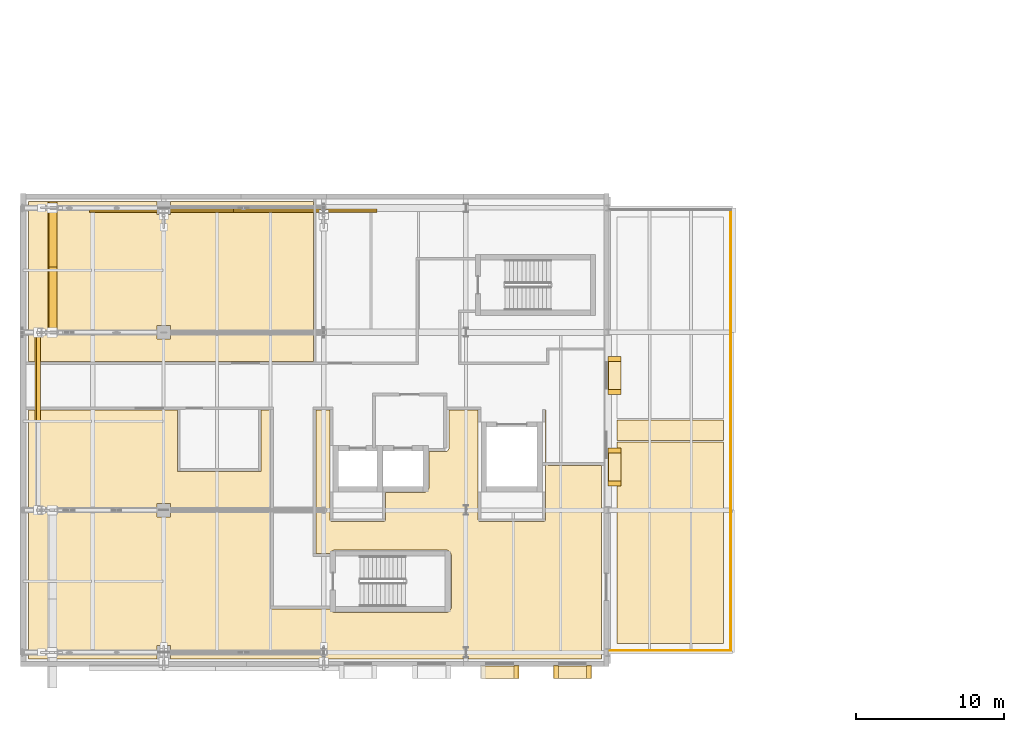
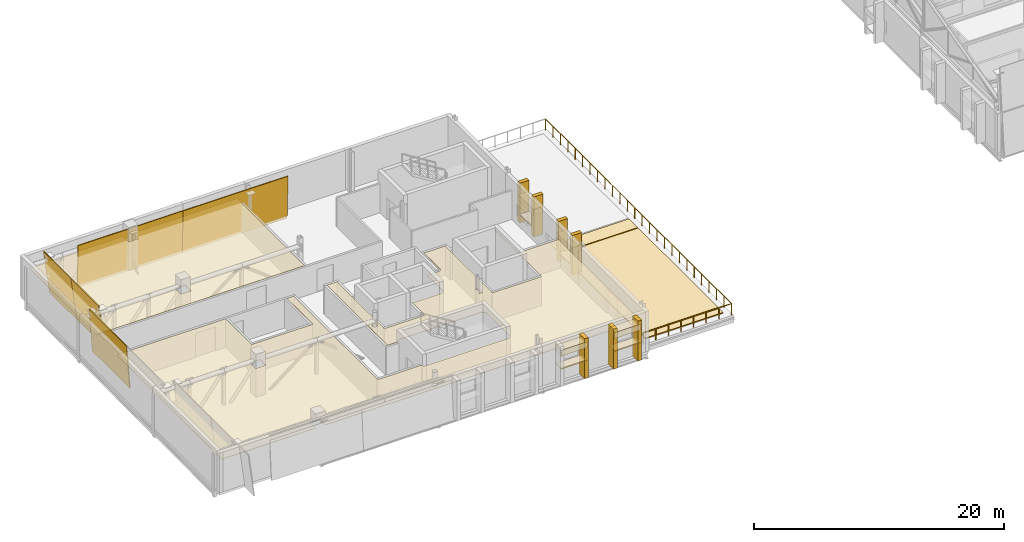
# One storey, part 85 of 89: 24 coverings, 2 railings.
"""IFC4 building model written with IfcOpenShell, lengths in metres."""

from ifc_helpers import new_model, si_unit, direction, frame, origin, origin_2d, place, context, subcontext, project, spatial, polyline, rectangle, circle, outline, extrude, material, layer, layer_set, type_object, element, save


model = new_model("IFC4")

# Units and contexts
model_context = context("Model", 3, precision=1e-05, world=origin(), true_north=direction((0.0, 1.0)))
body_context = subcontext(model_context, "Body", "Model", "MODEL_VIEW")
ifc_project = project(units=[si_unit("LENGTHUNIT", "METRE"), si_unit("AREAUNIT", "SQUARE_METRE"), si_unit("VOLUMEUNIT", "CUBIC_METRE"), si_unit("PLANEANGLEUNIT", "RADIAN"), si_unit("MASSUNIT", "GRAM", prefix="KILO")], contexts=[model_context])

# Site, building, storey
site_placement = place(None, origin())
site = spatial("IfcSite", under=ifc_project, at=site_placement, CompositionType="ELEMENT")
building_placement = place(site_placement, origin())
building = spatial("IfcBuilding", under=site, at=building_placement, Name="Zereglee Splitstone Museum", CompositionType="ELEMENT")
storey_placement = place(building_placement, frame((0.0, 0.0, 21.300048828125)))
storey = spatial("IfcBuildingStorey", under=building, at=storey_placement, Name="L04", CompositionType="ELEMENT", Elevation=21.300048828125)

# Coverings
ifc_material_1 = material(Name="Siberian larch acoustic timber ceiling", Category="wood")
ifc_layer_1 = layer(ifc_material_1, 0.06005859375)
ifc_layer_set_1 = layer_set([ifc_layer_1], Name="Siberian larch acoustic timber ceiling")
covering_type_1 = type_object("IfcCoveringType", Name="CLG-01", PredefinedType="CEILING", material=ifc_layer_set_1)
covering_1_placement = place(storey_placement, frame((0.0, 0.0, 2.77001953125)))
element("IfcCovering", 1, at=covering_1_placement, inside=storey, type_object=covering_type_1, Name="Acoustic Ceiling L04-053", PredefinedType="CEILING", context=body_context, shape_type="SweptSolid", body=[
    extrude(outline(polyline([(19.8798828125, 16.3701171875), (20.820068359375, 16.3701171875), (20.820068359375, 9.0), (20.820068359375, 8.9990234375), (20.82080078125, 8.9833984375), (20.821044921875, 8.9814453125), (20.8232421875, 8.9658203125), (20.82373046875, 8.9638671875), (20.827392578125, 8.94873046875), (20.828125, 8.94677734375), (20.833251953125, 8.931884765625), (20.833984375, 8.93017578125), (20.8408203125, 8.916015625), (20.841796875, 8.914306640625), (20.849853515625, 8.90087890625), (20.850830078125, 8.899169921875), (20.8603515625, 8.88671875), (20.861572265625, 8.885009765625), (20.8720703125, 8.873291015625), (20.873291015625, 8.8720703125), (20.885009765625, 8.861572265625), (20.88671875, 8.8603515625), (20.899169921875, 8.850830078125), (20.90087890625, 8.849853515625), (20.914306640625, 8.841796875), (20.916015625, 8.8408203125), (20.93017578125, 8.833984375), (20.931884765625, 8.833251953125), (20.94677734375, 8.828125), (20.94873046875, 8.827392578125), (20.9638671875, 8.82373046875), (20.9658203125, 8.8232421875), (20.9814453125, 8.821044921875), (20.9833984375, 8.82080078125), (20.9990234375, 8.820068359375), (21.0, 8.820068359375), (24.39990234375, 8.820068359375), (24.40087890625, 8.820068359375), (24.416748046875, 8.82080078125), (24.418701171875, 8.821044921875), (24.43408203125, 8.8232421875), (24.43603515625, 8.82373046875), (24.451416015625, 8.827392578125), (24.453125, 8.828125), (24.468017578125, 8.833251953125), (24.4697265625, 8.833984375), (24.48388671875, 8.8408203125), (24.485595703125, 8.841796875), (24.499267578125, 8.849853515625), (24.500732421875, 8.850830078125), (24.513427734375, 8.8603515625), (24.514892578125, 8.861572265625), (24.526611328125, 8.8720703125), (24.528076171875, 8.873291015625), (24.53857421875, 8.885009765625), (24.539794921875, 8.88671875), (24.549072265625, 8.899169921875), (24.55029296875, 8.90087890625), (24.558349609375, 8.914306640625), (24.55908203125, 8.916015625), (24.56591796875, 8.93017578125), (24.566650390625, 8.931884765625), (24.572021484375, 8.94677734375), (24.572509765625, 8.94873046875), (24.576416015625, 8.9638671875), (24.57666015625, 8.9658203125), (24.5791015625, 8.9814453125), (24.5791015625, 8.9833984375), (24.580078125, 8.9990234375), (24.580078125, 9.0), (24.580078125, 10.780029296875), (27.10009765625, 10.780029296875), (27.14111328125, 10.781982421875), (27.181884765625, 10.7880859375), (27.221923828125, 10.798095703125), (27.2607421875, 10.81201171875), (27.298095703125, 10.82958984375), (27.333251953125, 10.850830078125), (27.366455078125, 10.875244140625), (27.39697265625, 10.903076171875), (27.4248046875, 10.93359375), (27.44921875, 10.966796875), (27.470458984375, 11.001953125), (27.488037109375, 11.039306640625), (27.501953125, 11.078125), (27.511962890625, 11.1181640625), (27.51806640625, 11.15869140625), (27.52001953125, 11.199951171875), (27.52001953125, 13.550048828125), (28.60009765625, 13.550048828125), (28.62451171875, 13.55126953125), (28.648681640625, 13.5546875), (28.672607421875, 13.560791015625), (28.69580078125, 13.569091796875), (28.7177734375, 13.57958984375), (28.739013671875, 13.592041015625), (28.758544921875, 13.606689453125), (28.77685546875, 13.623291015625), (28.793212890625, 13.641357421875), (28.807861328125, 13.6611328125), (28.820556640625, 13.68212890625), (28.8310546875, 13.704345703125), (28.839111328125, 13.727294921875), (28.84521484375, 13.751220703125), (28.848876953125, 13.775390625), (28.85009765625, 13.800048828125), (28.85009765625, 16.3701171875), (30.820068359375, 16.3701171875), (30.820068359375, 9.0), (30.820068359375, 8.9990234375), (30.82080078125, 8.9833984375), (30.821044921875, 8.9814453125), (30.8232421875, 8.9658203125), (30.82373046875, 8.9638671875), (30.827392578125, 8.94873046875), (30.828125, 8.94677734375), (30.833251953125, 8.931884765625), (30.833984375, 8.93017578125), (30.8408203125, 8.916015625), (30.841796875, 8.914306640625), (30.849853515625, 8.90087890625), (30.850830078125, 8.899169921875), (30.8603515625, 8.88671875), (30.861572265625, 8.885009765625), (30.8720703125, 8.873291015625), (30.873291015625, 8.8720703125), (30.885009765625, 8.861572265625), (30.88671875, 8.8603515625), (30.899169921875, 8.850830078125), (30.90087890625, 8.849853515625), (30.914306640625, 8.841796875), (30.916015625, 8.8408203125), (30.93017578125, 8.833984375), (30.931884765625, 8.833251953125), (30.94677734375, 8.828125), (30.94873046875, 8.827392578125), (30.9638671875, 8.82373046875), (30.9658203125, 8.8232421875), (30.9814453125, 8.821044921875), (30.9833984375, 8.82080078125), (30.9990234375, 8.820068359375), (31.0, 8.820068359375), (35.199951171875, 8.820068359375), (35.200927734375, 8.820068359375), (35.216796875, 8.82080078125), (35.218505859375, 8.821044921875), (35.234130859375, 8.8232421875), (35.236083984375, 8.82373046875), (35.251220703125, 8.827392578125), (35.253173828125, 8.828125), (35.26806640625, 8.833251953125), (35.269775390625, 8.833984375), (35.283935546875, 8.8408203125), (35.28564453125, 8.841796875), (35.29931640625, 8.849853515625), (35.30078125, 8.850830078125), (35.3134765625, 8.8603515625), (35.31494140625, 8.861572265625), (35.32666015625, 8.8720703125), (35.327880859375, 8.873291015625), (35.33837890625, 8.885009765625), (35.339599609375, 8.88671875), (35.34912109375, 8.899169921875), (35.35009765625, 8.90087890625), (35.3583984375, 8.914306640625), (35.359130859375, 8.916015625), (35.365966796875, 8.93017578125), (35.36669921875, 8.931884765625), (35.371826171875, 8.94677734375), (35.37255859375, 8.94873046875), (35.376220703125, 8.9638671875), (35.376708984375, 8.9658203125), (35.37890625, 8.9814453125), (35.379150390625, 8.9833984375), (35.3798828125, 8.9990234375), (35.3798828125, 9.0), (35.3798828125, 16.3701171875), (35.419921875, 16.3701171875), (35.419921875, 12.800048828125), (35.419921875, 12.799072265625), (35.4208984375, 12.783203125), (35.4208984375, 12.781494140625), (35.42333984375, 12.765869140625), (35.423583984375, 12.763916015625), (35.427490234375, 12.748779296875), (35.427978515625, 12.746826171875), (35.433349609375, 12.73193359375), (35.43408203125, 12.730224609375), (35.44091796875, 12.716064453125), (35.441650390625, 12.71435546875), (35.44970703125, 12.70068359375), (35.450927734375, 12.69921875), (35.460205078125, 12.6865234375), (35.46142578125, 12.68505859375), (35.471923828125, 12.67333984375), (35.473388671875, 12.672119140625), (35.485107421875, 12.66162109375), (35.486572265625, 12.660400390625), (35.499267578125, 12.65087890625), (35.500732421875, 12.64990234375), (35.514404296875, 12.6416015625), (35.51611328125, 12.640869140625), (35.5302734375, 12.634033203125), (35.531982421875, 12.63330078125), (35.546875, 12.628173828125), (35.548583984375, 12.62744140625), (35.56396484375, 12.623779296875), (35.56591796875, 12.623291015625), (35.581298828125, 12.62109375), (35.583251953125, 12.620849609375), (35.59912109375, 12.6201171875), (35.60009765625, 12.6201171875), (39.139892578125, 12.6201171875), (39.139892578125, -0.43994140625), (10.05810546875, -0.43994140625), (10.05810546875, 0.4580078125), (9.14208984375, 0.4580078125), (9.14208984375, -0.43994140625), (0.4599609375, -0.43994140625), (0.4599609375, 16.3701171875), (10.52001953125, 16.3701171875), (10.52001953125, 12.22998046875), (10.52001953125, 12.22802734375), (10.5205078125, 12.22607421875), (10.52099609375, 12.22412109375), (10.521484375, 12.222412109375), (10.5224609375, 12.220703125), (10.5234375, 12.218994140625), (10.5244140625, 12.21728515625), (10.52587890625, 12.2158203125), (10.52734375, 12.214599609375), (10.52880859375, 12.21337890625), (10.530517578125, 12.21240234375), (10.5322265625, 12.21142578125), (10.5341796875, 12.2109375), (10.5361328125, 12.21044921875), (10.5380859375, 12.210205078125), (10.5400390625, 12.2099609375), (16.159912109375, 12.2099609375), (16.162109375, 12.210205078125), (16.163818359375, 12.21044921875), (16.165771484375, 12.2109375), (16.167724609375, 12.21142578125), (16.16943359375, 12.21240234375), (16.171142578125, 12.21337890625), (16.172607421875, 12.214599609375), (16.174072265625, 12.2158203125), (16.175537109375, 12.21728515625), (16.176513671875, 12.218994140625), (16.177490234375, 12.220703125), (16.178466796875, 12.222412109375), (16.17919921875, 12.22412109375), (16.1796875, 12.22607421875), (16.179931640625, 12.22802734375), (16.179931640625, 12.22998046875), (16.179931640625, 16.3701171875), (16.820068359375, 16.3701171875), (16.820068359375, 3.10009765625), (16.820068359375, 3.09912109375), (16.82080078125, 3.083251953125), (16.821044921875, 3.081298828125), (16.8232421875, 3.06591796875), (16.82373046875, 3.06396484375), (16.827392578125, 3.048583984375), (16.828125, 3.046875), (16.833251953125, 3.031982421875), (16.833984375, 3.0302734375), (16.8408203125, 3.01611328125), (16.841796875, 3.014404296875), (16.849853515625, 3.000732421875), (16.850830078125, 2.999267578125), (16.8603515625, 2.986572265625), (16.861572265625, 2.985107421875), (16.8720703125, 2.973388671875), (16.873291015625, 2.971923828125), (16.885009765625, 2.96142578125), (16.88671875, 2.960205078125), (16.899169921875, 2.950927734375), (16.90087890625, 2.94970703125), (16.914306640625, 2.941650390625), (16.916015625, 2.94091796875), (16.93017578125, 2.93408203125), (16.931884765625, 2.933349609375), (16.94677734375, 2.927978515625), (16.94873046875, 2.927490234375), (16.9638671875, 2.923583984375), (16.9658203125, 2.92333984375), (16.9814453125, 2.9208984375), (16.9833984375, 2.9208984375), (16.9990234375, 2.919921875), (17.0, 2.919921875), (20.821044921875, 2.919921875), (20.82958984375, 2.902099609375), (20.850830078125, 2.86669921875), (20.875244140625, 2.83349609375), (20.903076171875, 2.802978515625), (20.93359375, 2.775390625), (20.966796875, 2.750732421875), (21.001953125, 2.7294921875), (21.039306640625, 2.7119140625), (21.078125, 2.697998046875), (21.1181640625, 2.68798828125), (21.15869140625, 2.681884765625), (21.199951171875, 2.679931640625), (28.60009765625, 2.679931640625), (28.64111328125, 2.681884765625), (28.681884765625, 2.68798828125), (28.721923828125, 2.697998046875), (28.7607421875, 2.7119140625), (28.798095703125, 2.7294921875), (28.833251953125, 2.750732421875), (28.866455078125, 2.775390625), (28.89697265625, 2.802978515625), (28.9248046875, 2.83349609375), (28.94921875, 2.86669921875), (28.970458984375, 2.902099609375), (28.988037109375, 2.939208984375), (29.001953125, 2.97802734375), (29.011962890625, 3.01806640625), (29.01806640625, 3.058837890625), (29.02001953125, 3.10009765625), (29.02001953125, 6.5), (29.01806640625, 6.541259765625), (29.011962890625, 6.581787109375), (29.001953125, 6.621826171875), (28.988037109375, 6.66064453125), (28.970458984375, 6.697998046875), (28.94921875, 6.7333984375), (28.9248046875, 6.766357421875), (28.89697265625, 6.797119140625), (28.866455078125, 6.82470703125), (28.833251953125, 6.84912109375), (28.798095703125, 6.870361328125), (28.7607421875, 6.887939453125), (28.721923828125, 6.90185546875), (28.681884765625, 6.911865234375), (28.64111328125, 6.91796875), (28.60009765625, 6.919921875), (21.199951171875, 6.919921875), (21.15869140625, 6.91796875), (21.1181640625, 6.911865234375), (21.078125, 6.90185546875), (21.039306640625, 6.887939453125), (21.001953125, 6.870361328125), (20.966796875, 6.84912109375), (20.93359375, 6.82470703125), (20.903076171875, 6.797119140625), (20.875244140625, 6.766357421875), (20.850830078125, 6.7333984375), (20.82958984375, 6.697998046875), (20.821044921875, 6.679931640625), (19.8798828125, 6.679931640625), (19.8798828125, 16.3701171875)]), holes=[polyline([(20.531494140625, -0.196533203125), (20.567138671875, -0.167236328125), (20.5966796875, -0.13134765625), (20.618408203125, -0.090576171875), (20.632080078125, -0.046142578125), (20.636474609375, 0.0), (20.632080078125, 0.046142578125), (20.618408203125, 0.090576171875), (20.5966796875, 0.13134765625), (20.567138671875, 0.167236328125), (20.531494140625, 0.196533203125), (20.490478515625, 0.218505859375), (20.446044921875, 0.23193359375), (20.39990234375, 0.236572265625), (20.35400390625, 0.23193359375), (20.3095703125, 0.218505859375), (20.2685546875, 0.196533203125), (20.23291015625, 0.167236328125), (20.203369140625, 0.13134765625), (20.181396484375, 0.090576171875), (20.16796875, 0.046142578125), (20.16357421875, 0.0), (20.16796875, -0.046142578125), (20.181396484375, -0.090576171875), (20.203369140625, -0.13134765625), (20.23291015625, -0.167236328125), (20.2685546875, -0.196533203125), (20.3095703125, -0.218505859375), (20.35400390625, -0.23193359375), (20.39990234375, -0.236572265625), (20.446044921875, -0.23193359375), (20.490478515625, -0.218505859375), (20.531494140625, -0.196533203125)]), polyline([(29.842041015625, 0.35791015625), (29.842041015625, 0.31005859375), (29.9833984375, 0.31005859375), (29.9833984375, -0.31005859375), (29.842041015625, -0.31005859375), (29.842041015625, -0.35791015625), (30.157958984375, -0.35791015625), (30.157958984375, -0.31005859375), (30.0166015625, -0.31005859375), (30.0166015625, 0.31005859375), (30.157958984375, 0.31005859375), (30.157958984375, 0.35791015625), (29.842041015625, 0.35791015625)]), polyline([(9.14208984375, 9.14208984375), (10.05810546875, 9.14208984375), (10.05810546875, 10.05810546875), (9.14208984375, 10.05810546875), (9.14208984375, 9.14208984375)]), polyline([(20.517333984375, 9.42431640625), (20.54931640625, 9.45068359375), (20.57568359375, 9.482666015625), (20.59521484375, 9.519287109375), (20.607177734375, 9.558837890625), (20.611083984375, 9.60009765625), (20.607177734375, 9.64111328125), (20.59521484375, 9.680908203125), (20.57568359375, 9.71728515625), (20.54931640625, 9.749267578125), (20.517333984375, 9.775634765625), (20.480712890625, 9.795166015625), (20.441162109375, 9.80712890625), (20.39990234375, 9.811279296875), (20.35888671875, 9.80712890625), (20.319091796875, 9.795166015625), (20.28271484375, 9.775634765625), (20.250732421875, 9.749267578125), (20.224365234375, 9.71728515625), (20.204833984375, 9.680908203125), (20.19287109375, 9.64111328125), (20.188720703125, 9.60009765625), (20.19287109375, 9.558837890625), (20.204833984375, 9.519287109375), (20.224365234375, 9.482666015625), (20.250732421875, 9.45068359375), (20.28271484375, 9.42431640625), (20.319091796875, 9.40478515625), (20.35888671875, 9.392822265625), (20.39990234375, 9.388916015625), (20.441162109375, 9.392822265625), (20.480712890625, 9.40478515625), (20.517333984375, 9.42431640625)]), polyline([(29.842041015625, 9.93310546875), (29.842041015625, 9.885986328125), (29.98388671875, 9.885986328125), (29.98388671875, 9.31396484375), (29.842041015625, 9.31396484375), (29.842041015625, 9.26708984375), (30.157958984375, 9.26708984375), (30.157958984375, 9.31396484375), (30.01611328125, 9.31396484375), (30.01611328125, 9.885986328125), (30.157958984375, 9.885986328125), (30.157958984375, 9.93310546875), (29.842041015625, 9.93310546875)])]), origin(), (0.0, 0.0, 1.0), 0.059814453125),
])
covering_2_placement = place(storey_placement, frame((0.0, 0.0, 2.77001953125)))
element("IfcCovering", 2, at=covering_2_placement, inside=storey, type_object=covering_type_1, Name="Acoustic Ceiling L04-054", PredefinedType="CEILING", context=body_context, shape_type="SweptSolid", body=[
    extrude(outline(polyline([(0.4599609375, 30.43994140625), (9.14208984375, 30.43994140625), (9.14208984375, 29.5419921875), (10.05810546875, 29.5419921875), (10.05810546875, 30.43994140625), (19.699951171875, 30.43994140625), (19.699951171875, 19.6298828125), (0.4599609375, 19.6298828125), (0.4599609375, 30.43994140625)]), holes=[polyline([(9.14208984375, 21.14208984375), (10.05810546875, 21.14208984375), (10.05810546875, 22.05810546875), (9.14208984375, 22.05810546875), (9.14208984375, 21.14208984375)])]), origin(), (0.0, 0.0, 1.0), 0.059814453125),
])
ifc_material_2 = material(Name="Honed Gobi pale limestone stringcourse and soffit cladding", Category="masonry")
ifc_layer_2 = layer(ifc_material_2, 0.070068359375)
ifc_layer_set_2 = layer_set([ifc_layer_2], Name="Honed Gobi pale limestone stringcourse and soffit cladding")
covering_type_2 = type_object("IfcCoveringType", Name="CL-02", PredefinedType="CLADDING", material=ifc_layer_set_2)
covering_3_placement = place(storey_placement, frame((33.39990234375, -1.324951171875, 0.0), z_axis=(0.0, 0.0, 1.0), x_axis=(1.0, 0.0, 0.0)))
element("IfcCovering", 3, at=covering_3_placement, inside=storey, type_object=covering_type_2, Name="Mughal Window Reveal Stone Pilaster L04-0138R", PredefinedType="CLADDING", context=body_context, shape_type="SweptSolid", body=[
    extrude(rectangle(XDim=0.340087890625, YDim=0.860107421875, at=origin_2d()), origin(), (0.0, 0.0, 1.0), 3.89990234375),
])
covering_4_placement = place(storey_placement, frame((32.280029296875, -1.3349609375, 1.659912109375), z_axis=(0.0, 0.0, 1.0), x_axis=(1.0, 0.0, 0.0)))
element("IfcCovering", 4, at=covering_4_placement, inside=storey, type_object=covering_type_2, Name="Carved Limestone Window Sill L04-0138", PredefinedType="CLADDING", context=body_context, shape_type="SweptSolid", body=[
    extrude(rectangle(XDim=2.43994140625, YDim=0.840087890625, at=origin_2d()), origin(), (0.0, 0.0, 1.0), 0.1201171875),
])
for number, where, z_axis, x_axis, name in (
    (5, (36.080078125, -1.324951171875, 0.0), (0.0, 0.0, 1.0), (1.0, 0.0, 0.0), "Mughal Window Reveal Stone Pilaster L04-0139L"),
    (6, (38.320068359375, -1.324951171875, 0.0), (0.0, 0.0, 1.0), (1.0, 0.0, 0.0), "Mughal Window Reveal Stone Pilaster L04-0139R"),
):
    element("IfcCovering", number, at=place(storey_placement, frame(where, z_axis=z_axis, x_axis=x_axis)), inside=storey, type_object=covering_type_2, Name=name, PredefinedType="CLADDING", context=body_context, shape_type="SweptSolid", body=[
        extrude(rectangle(XDim=0.340087890625, YDim=0.860107421875, at=origin_2d()), origin(), (0.0, 0.0, 1.0), 3.89990234375),
    ])
covering_5_placement = place(storey_placement, frame((37.199951171875, -1.3349609375, 1.659912109375), z_axis=(0.0, 0.0, 1.0), x_axis=(1.0, 0.0, 0.0)))
element("IfcCovering", 7, at=covering_5_placement, inside=storey, type_object=covering_type_2, Name="Carved Limestone Window Sill L04-0139", PredefinedType="CLADDING", context=body_context, shape_type="SweptSolid", body=[
    extrude(rectangle(XDim=2.43994140625, YDim=0.840087890625, at=origin_2d()), origin(), (0.0, 0.0, 1.0), 0.1201171875),
])
for number, where, z_axis, x_axis, name in (
    (8, (40.02490234375, 11.389892578125, 0.0), (0.0, 0.0, 1.0), (0.0, 1.0, 0.0), "Mughal Window Reveal Stone Pilaster L04-0140L"),
    (9, (40.02490234375, 13.6298828125, 0.0), (0.0, 0.0, 1.0), (0.0, 1.0, 0.0), "Mughal Window Reveal Stone Pilaster L04-0140R"),
):
    element("IfcCovering", number, at=place(storey_placement, frame(where, z_axis=z_axis, x_axis=x_axis)), inside=storey, type_object=covering_type_2, Name=name, PredefinedType="CLADDING", context=body_context, shape_type="SweptSolid", body=[
        extrude(rectangle(XDim=0.340087890625, YDim=0.860107421875, at=origin_2d()), origin(), (0.0, 0.0, 1.0), 3.89990234375),
    ])
covering_6_placement = place(storey_placement, frame((40.034912109375, 12.510009765625, 0.760009765625), z_axis=(0.0, 0.0, 1.0), x_axis=(0.0, 1.0, 0.0)))
element("IfcCovering", 10, at=covering_6_placement, inside=storey, type_object=covering_type_2, Name="Carved Limestone Window Sill L04-0140", PredefinedType="CLADDING", context=body_context, shape_type="SweptSolid", body=[
    extrude(rectangle(XDim=2.43994140625, YDim=0.840087890625, at=origin_2d()), origin(), (0.0, 0.0, 1.0), 0.1201171875),
])
for number, where, z_axis, x_axis, name in (
    (11, (40.02490234375, 17.570068359375, 0.0), (0.0, 0.0, 1.0), (0.0, 1.0, 0.0), "Mughal Window Reveal Stone Pilaster L04-0141L"),
    (12, (40.02490234375, 19.81005859375, 0.0), (0.0, 0.0, 1.0), (0.0, 1.0, 0.0), "Mughal Window Reveal Stone Pilaster L04-0141R"),
):
    element("IfcCovering", number, at=place(storey_placement, frame(where, z_axis=z_axis, x_axis=x_axis)), inside=storey, type_object=covering_type_2, Name=name, PredefinedType="CLADDING", context=body_context, shape_type="SweptSolid", body=[
        extrude(rectangle(XDim=0.340087890625, YDim=0.860107421875, at=origin_2d()), origin(), (0.0, 0.0, 1.0), 3.89990234375),
    ])
covering_7_placement = place(storey_placement, frame((40.034912109375, 18.68994140625, 0.760009765625), z_axis=(0.0, 0.0, 1.0), x_axis=(0.0, 1.0, 0.0)))
element("IfcCovering", 13, at=covering_7_placement, inside=storey, type_object=covering_type_2, Name="Carved Limestone Window Sill L04-0141", PredefinedType="CLADDING", context=body_context, shape_type="SweptSolid", body=[
    extrude(rectangle(XDim=2.43994140625, YDim=0.840087890625, at=origin_2d()), origin(), (0.0, 0.0, 1.0), 0.1201171875),
])
ifc_material_3 = material(Name="Honed Khoroo red sandstone ventilated rainscreen", Category="masonry")
ifc_layer_3 = layer(ifc_material_3, 0.080078125)
ifc_layer_set_3 = layer_set([ifc_layer_3], Name="Honed Khoroo red sandstone ventilated rainscreen")
covering_type_3 = type_object("IfcCoveringType", Name="CL-01", PredefinedType="CLADDING", material=ifc_layer_set_3)
for number, where, z_axis, x_axis, name in (
    (14, (32.280029296875, -1.3349609375, 2.9599609375), (0.0, 0.0, 1.0), (1.0, 0.0, 0.0), "Pointed-Arch Mughal Window Hood L04-0138"),
    (15, (37.199951171875, -1.3349609375, 2.9599609375), (0.0, 0.0, 1.0), (1.0, 0.0, 0.0), "Pointed-Arch Mughal Window Hood L04-0139"),
    (16, (40.034912109375, 12.510009765625, 2.059814453125), (0.0, 0.0, 1.0), (0.0, 1.0, 0.0), "Pointed-Arch Mughal Window Hood L04-0140"),
    (17, (40.034912109375, 18.68994140625, 2.059814453125), (0.0, 0.0, 1.0), (0.0, 1.0, 0.0), "Pointed-Arch Mughal Window Hood L04-0141"),
):
    element("IfcCovering", number, at=place(storey_placement, frame(where, z_axis=z_axis, x_axis=x_axis)), inside=storey, type_object=covering_type_3, Name=name, PredefinedType="CLADDING", context=body_context, shape_type="SweptSolid", body=[
        extrude(rectangle(XDim=2.43994140625, YDim=0.860107421875, at=origin_2d()), origin(), (0.0, 0.0, 1.0), 0.580078125),
    ])
for number, where, z_axis, x_axis, name in (
    (18, (1.788330078125, 21.60009765625, 3.949951171875), (-0.991724676305, 0.0, -0.128382889852), (0.0, 1.0, 0.0), "Split-Rock Continuous Inclined Facet FH-V1W-N L04.1"),
    (19, (1.788330078125, 26.0, 3.949951171875), (-0.991724676305, 0.0, -0.128382889852), (0.0, 1.0, 0.0), "Split-Rock Continuous Inclined Facet FH-V1W-N L04.2"),
):
    element("IfcCovering", number, at=place(storey_placement, frame(where, z_axis=z_axis, x_axis=x_axis)), inside=storey, type_object=covering_type_3, Name=name, PredefinedType="CLADDING", context=body_context, shape_type="SweptSolid", body=[
        extrude(outline(polyline([(0.0, 0.0), (4.39990234375, 0.0), (4.39990234375, 4.234997144087872), (0.0, 4.234997144087872), (0.0, 0.0)])), origin(), (0.0, 0.0, -1.0), 0.080078125),
    ])
covering_8_placement = place(storey_placement, frame((0.91748046875, 15.60009765625, 3.949951171875), z_axis=(-0.997706981448, 0.0, -0.067681453662), x_axis=(0.0, 1.0, 0.0)))
element("IfcCovering", 20, at=covering_8_placement, inside=storey, type_object=covering_type_3, Name="Split-Rock Continuous Inclined Facet FH-V1W-M L04.2", PredefinedType="CLADDING", context=body_context, shape_type="SweptSolid", body=[
    extrude(outline(polyline([(0.0, 0.0), (6.0, 0.0), (6.0, 4.209603871649053), (0.0, 4.209603871649053), (0.0, 0.0)])), origin(), (0.0, 0.0, -1.0), 0.080078125),
])
for number, where, z_axis, x_axis, name in (
    (21, (4.60009765625, 29.787109375, 3.949951171875), (0.0, 0.999310849271, 0.037119085781), (1.0, 0.0, 0.0), "Split-Rock Continuous Inclined Facet FH-V1N-W L04.1"),
    (22, (14.300048828125, 29.787109375, 3.949951171875), (0.0, 0.999310849271, 0.037119085781), (1.0, 0.0, 0.0), "Split-Rock Continuous Inclined Facet FH-V1N-W L04.2"),
):
    element("IfcCovering", number, at=place(storey_placement, frame(where, z_axis=z_axis, x_axis=x_axis)), inside=storey, type_object=covering_type_3, Name=name, PredefinedType="CLADDING", context=body_context, shape_type="SweptSolid", body=[
        extrude(outline(polyline([(0.0, 0.0), (9.699951171875, 0.0), (9.699951171875, 4.202847567339734), (0.0, 4.202847567339734), (0.0, 0.0)])), origin(), (0.0, 0.0, -1.0), 0.080078125),
    ])

# Railings
ifc_material_4 = material(Name="Brushed stainless steel 1.4404 post-and-rail guard", Category="steel")
railing_type = type_object("IfcRailingType", Name="GR-01", PredefinedType="GUARDRAIL", material=ifc_material_4)
railing_1_placement = place(storey_placement, frame((39.719970703125, 0.1201171875, 0.0)))
element("IfcRailing", 23, at=railing_1_placement, inside=storey, type_object=railing_type, Name="Outdoor Terrace Guard TER-L04-V1E-1", PredefinedType="GUARDRAIL", context=body_context, shape_type="SweptSolid", body=[
    extrude(circle(Radius=0.02392578125, at=origin_2d()), frame((0.0, 0.0, 1.076416015625), z_axis=(1.0, 0.0, 0.0), x_axis=(0.0, 1.0, 0.0)), (0.0, 0.0, 1.0), 8.159912109375),
    extrude(circle(Radius=0.02099609375, at=origin_2d()), origin(), (0.0, 0.0, 1.0), 1.052001953125),
    extrude(circle(Radius=0.02099609375, at=origin_2d()), frame((1.165771484375, 0.0, 0.0)), (0.0, 0.0, 1.0), 1.052001953125),
    extrude(circle(Radius=0.02099609375, at=origin_2d()), frame((2.331298828125, 0.0, 0.0)), (0.0, 0.0, 1.0), 1.052001953125),
    extrude(circle(Radius=0.02099609375, at=origin_2d()), frame((3.4970703125, 0.0, 0.0)), (0.0, 0.0, 1.0), 1.052001953125),
    extrude(circle(Radius=0.02099609375, at=origin_2d()), frame((4.662841796875, 0.0, 0.0)), (0.0, 0.0, 1.0), 1.052001953125),
    extrude(circle(Radius=0.02099609375, at=origin_2d()), frame((5.82861328125, 0.0, 0.0)), (0.0, 0.0, 1.0), 1.052001953125),
    extrude(circle(Radius=0.02099609375, at=origin_2d()), frame((6.994140625, 0.0, 0.0)), (0.0, 0.0, 1.0), 1.052001953125),
    extrude(circle(Radius=0.02099609375, at=origin_2d()), frame((8.159912109375, 0.0, 0.0)), (0.0, 0.0, 1.0), 1.052001953125),
])
railing_2_placement = place(storey_placement, frame((47.8798828125, 0.1201171875, 0.0)))
element("IfcRailing", 24, at=railing_2_placement, inside=storey, type_object=railing_type, Name="Outdoor Terrace Guard TER-L04-V1E-2", PredefinedType="GUARDRAIL", context=body_context, shape_type="SweptSolid", body=[
    extrude(circle(Radius=0.02392578125, at=origin_2d()), frame((0.0, 0.0, 1.076416015625), z_axis=(0.0, 1.0, 0.0), x_axis=(-1.0, 0.0, 0.0)), (0.0, 0.0, 1.0), 29.759765625),
    extrude(circle(Radius=0.02099609375, at=origin_2d()), origin(), (0.0, 0.0, 1.0), 1.052001953125),
    extrude(circle(Radius=0.02099609375, at=origin_2d()), frame((0.0, 1.1904296875, 0.0)), (0.0, 0.0, 1.0), 1.052001953125),
    extrude(circle(Radius=0.02099609375, at=origin_2d()), frame((0.0, 2.380859375, 0.0)), (0.0, 0.0, 1.0), 1.052001953125),
    extrude(circle(Radius=0.02099609375, at=origin_2d()), frame((0.0, 3.5712890625, 0.0)), (0.0, 0.0, 1.0), 1.052001953125),
    extrude(circle(Radius=0.02099609375, at=origin_2d()), frame((0.0, 4.761474609375, 0.0)), (0.0, 0.0, 1.0), 1.052001953125),
    extrude(circle(Radius=0.02099609375, at=origin_2d()), frame((0.0, 5.951904296875, 0.0)), (0.0, 0.0, 1.0), 1.052001953125),
    extrude(circle(Radius=0.02099609375, at=origin_2d()), frame((0.0, 7.142333984375, 0.0)), (0.0, 0.0, 1.0), 1.052001953125),
    extrude(circle(Radius=0.02099609375, at=origin_2d()), frame((0.0, 8.332763671875, 0.0)), (0.0, 0.0, 1.0), 1.052001953125),
    extrude(circle(Radius=0.02099609375, at=origin_2d()), frame((0.0, 9.523193359375, 0.0)), (0.0, 0.0, 1.0), 1.052001953125),
    extrude(circle(Radius=0.02099609375, at=origin_2d()), frame((0.0, 10.713623046875, 0.0)), (0.0, 0.0, 1.0), 1.052001953125),
    extrude(circle(Radius=0.02099609375, at=origin_2d()), frame((0.0, 11.90380859375, 0.0)), (0.0, 0.0, 1.0), 1.052001953125),
    extrude(circle(Radius=0.02099609375, at=origin_2d()), frame((0.0, 13.09423828125, 0.0)), (0.0, 0.0, 1.0), 1.052001953125),
    extrude(circle(Radius=0.02099609375, at=origin_2d()), frame((0.0, 14.28466796875, 0.0)), (0.0, 0.0, 1.0), 1.052001953125),
    extrude(circle(Radius=0.02099609375, at=origin_2d()), frame((0.0, 15.47509765625, 0.0)), (0.0, 0.0, 1.0), 1.052001953125),
    extrude(circle(Radius=0.02099609375, at=origin_2d()), frame((0.0, 16.66552734375, 0.0)), (0.0, 0.0, 1.0), 1.052001953125),
    extrude(circle(Radius=0.02099609375, at=origin_2d()), frame((0.0, 17.85595703125, 0.0)), (0.0, 0.0, 1.0), 1.052001953125),
    extrude(circle(Radius=0.02099609375, at=origin_2d()), frame((0.0, 19.046142578125, 0.0)), (0.0, 0.0, 1.0), 1.052001953125),
    extrude(circle(Radius=0.02099609375, at=origin_2d()), frame((0.0, 20.236572265625, 0.0)), (0.0, 0.0, 1.0), 1.052001953125),
    extrude(circle(Radius=0.02099609375, at=origin_2d()), frame((0.0, 21.427001953125, 0.0)), (0.0, 0.0, 1.0), 1.052001953125),
    extrude(circle(Radius=0.02099609375, at=origin_2d()), frame((0.0, 22.617431640625, 0.0)), (0.0, 0.0, 1.0), 1.052001953125),
    extrude(circle(Radius=0.02099609375, at=origin_2d()), frame((0.0, 23.807861328125, 0.0)), (0.0, 0.0, 1.0), 1.052001953125),
    extrude(circle(Radius=0.02099609375, at=origin_2d()), frame((0.0, 24.998291015625, 0.0)), (0.0, 0.0, 1.0), 1.052001953125),
    extrude(circle(Radius=0.02099609375, at=origin_2d()), frame((0.0, 26.1884765625, 0.0)), (0.0, 0.0, 1.0), 1.052001953125),
    extrude(circle(Radius=0.02099609375, at=origin_2d()), frame((0.0, 27.37890625, 0.0)), (0.0, 0.0, 1.0), 1.052001953125),
    extrude(circle(Radius=0.02099609375, at=origin_2d()), frame((0.0, 28.5693359375, 0.0)), (0.0, 0.0, 1.0), 1.052001953125),
    extrude(circle(Radius=0.02099609375, at=origin_2d()), frame((0.0, 29.759765625, 0.0)), (0.0, 0.0, 1.0), 1.052001953125),
])

# Coverings
ifc_material_5 = material(Name="Carved pale Gobi limestone charbagh channel trim", Category="masonry")
ifc_layer_4 = layer(ifc_material_5, 0.080078125)
ifc_layer_set_4 = layer_set([ifc_layer_4], Name="Carved pale Gobi limestone charbagh channel trim")
covering_type_4 = type_object("IfcCoveringType", Name="CHB-01", PredefinedType="FLOORING", material=ifc_layer_set_4)
covering_9_placement = place(storey_placement, origin())
element("IfcCovering", 25, at=covering_9_placement, inside=storey, type_object=covering_type_4, Name="Charbagh Stone Terrace Parterre CHB-TER-V1E", PredefinedType="FLOORING", context=body_context, shape_type="SweptSolid", body=[
    extrude(outline(polyline([(40.199951171875, 14.300048828125), (47.39990234375, 14.300048828125), (47.39990234375, 15.699951171875), (40.199951171875, 15.699951171875), (40.199951171875, 14.300048828125)])), origin(), (0.0, 0.0, 1.0), 0.079833984375),
])
ifc_material_6 = material(Name="Flamed Gobi grey granite terrace paving", Category="masonry")
ifc_layer_5 = layer(ifc_material_6, 0.10009765625)
ifc_layer_set_5 = layer_set([ifc_layer_5], Name="Flamed Gobi grey granite terrace paving")
covering_type_5 = type_object("IfcCoveringType", Name="PAV-01", PredefinedType="FLOORING", material=ifc_layer_set_5)
covering_10_placement = place(storey_placement, origin())
element("IfcCovering", 26, at=covering_10_placement, inside=storey, type_object=covering_type_5, Name="Charbagh Stone Terrace Parterre PAV-TER-V1E-S", PredefinedType="FLOORING", context=body_context, shape_type="SweptSolid", body=[
    extrude(outline(polyline([(40.199951171875, 0.60009765625), (47.39990234375, 0.60009765625), (47.39990234375, 14.199951171875), (40.199951171875, 14.199951171875), (40.199951171875, 0.60009765625)])), origin(), (0.0, 0.0, 1.0), 0.099853515625),
])

save(model, "model.ifc")
